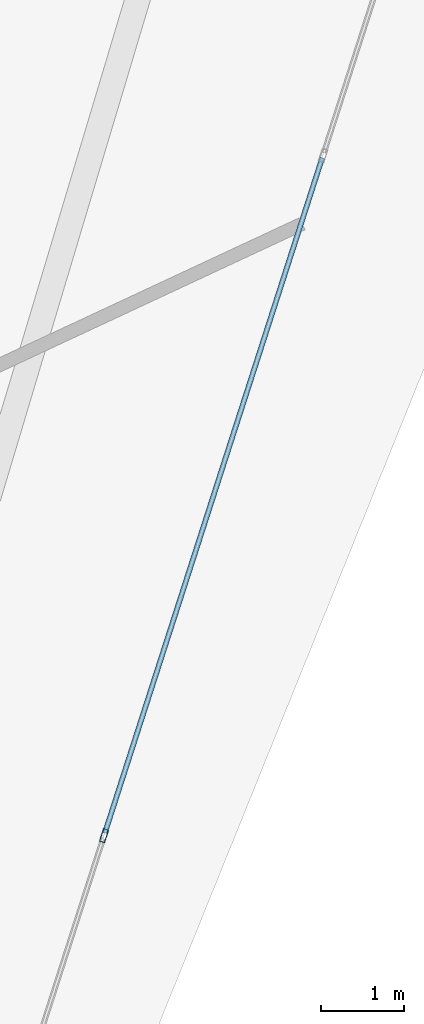
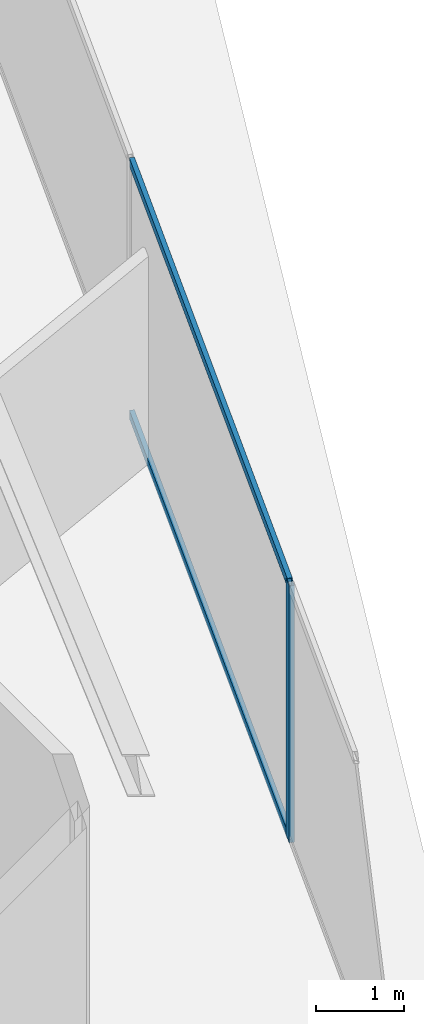
# One storey, part 9 of 14: 3 members, 1 element without a shape of its own.
"""IFC4 building model written with IfcOpenShell, lengths in metres."""

from ifc_helpers import new_model, si_unit, direction, frame, origin, origin_2d, place, context, subcontext, project, spatial, hollow_rectangle, extrude, material, layer, layer_set, material_profile, profile_set, type_object, element, aggregate, save


model = new_model("IFC4")

# Units and contexts
model_context = context("Model", 3, precision=1e-05, world=origin(), true_north=direction((0.0, 1.0)))
body_context = subcontext(model_context, "Body", "Model", "MODEL_VIEW")
ifc_project = project(units=[si_unit("LENGTHUNIT", "METRE"), si_unit("AREAUNIT", "SQUARE_METRE"), si_unit("VOLUMEUNIT", "CUBIC_METRE"), si_unit("PLANEANGLEUNIT", "RADIAN"), si_unit("MASSUNIT", "GRAM", prefix="KILO")], contexts=[model_context])

# Site, building, storey
site_placement = place(None, origin())
site = spatial("IfcSite", under=ifc_project, at=site_placement, CompositionType="ELEMENT")
building_placement = place(site_placement, origin())
building = spatial("IfcBuilding", under=site, at=building_placement, Name="Qianvela Tower", CompositionType="ELEMENT")
storey_placement = place(building_placement, frame((0.0, 0.0, 356.300048828125)))
storey = spatial("IfcBuildingStorey", under=building, at=storey_placement, Name="L92", CompositionType="ELEMENT", Elevation=356.300048828125)

# Curtain wall, members
ifc_material_1 = material(Name="Anodised Architectural Aluminium and Low-E Glass", Category="aluminium")
ifc_layer = layer(ifc_material_1, 0.159912109375)
ifc_layer_set = layer_set([ifc_layer], Name="Anodised Architectural Aluminium and Low-E Glass")
curtain_wall_type = type_object("IfcCurtainWallType", Name="CW-CROWN", PredefinedType="USERDEFINED", material=ifc_layer_set)
curtain_wall_placement = place(storey_placement, origin())
curtain_wall = element("IfcCurtainWall", 1, at=curtain_wall_placement, inside=storey, type_object=curtain_wall_type, Name="L92 CW-CROWN Curtain Wall 06", ObjectType="CURTAIN_WALL_SYSTEM", PredefinedType="USERDEFINED")
ifc_material_2 = material(Name="Anodised Architectural Aluminium 6063-T6", Category="aluminium")
ifc_material_profile_1 = material_profile(ifc_material_2, hollow_rectangle(XDim=0.06494140625, YDim=0.159912109375, WallThickness=0.0048828125, at=origin_2d()), Name="ALU-MULL-65x160")
ifc_profile_set_1 = profile_set([ifc_material_profile_1], Name="Anodised Architectural Aluminium 6063-T6")
member_type_1 = type_object("IfcMemberType", Name="CW-CROWN-MULL", PredefinedType="MULLION", material=ifc_profile_set_1)
member_1_placement = place(storey_placement, frame((47.490234375, 24.3251953125, 0.0), z_axis=(0.0, 0.0, 1.0), x_axis=(-0.951894457902, 0.306426077572, 0.0)))
member_1 = element("IfcMember", 2, at=member_1_placement, type_object=member_type_1, Name="CW-8 mullion 3", PredefinedType="MULLION", context=body_context, shape_type="SweptSolid", body=[
    extrude(hollow_rectangle(XDim=0.06494140625, YDim=0.159912109375, WallThickness=0.0048828125, at=origin_2d()), origin(), (0.0, 0.0, 1.0), 3.550048828125),
])
ifc_material_3 = material(Name="Anodised Architectural Aluminium 6063-T6", Category="aluminium")
ifc_material_profile_2 = material_profile(ifc_material_3, hollow_rectangle(XDim=0.06005859375, YDim=0.114990234375, WallThickness=0.00390625, at=origin_2d()), Name="ALU-TRAN-60x115")
ifc_profile_set_2 = profile_set([ifc_material_profile_2], Name="Anodised Architectural Aluminium 6063-T6")
member_type_2 = type_object("IfcMemberType", Name="CW-CROWN-TRAN", PredefinedType="USERDEFINED", material=ifc_profile_set_2)
member_2_placement = place(storey_placement, frame((47.500244140625, 24.356201171875, 0.030029296875), z_axis=(0.306444438398, 0.951888547139, 0.0), x_axis=(-0.951888547139, 0.306444438398, 0.0)))
member_2 = element("IfcMember", 3, at=member_2_placement, type_object=member_type_2, Name="CW-8 transom 3.1", ObjectType="TRANSOM", PredefinedType="USERDEFINED", context=body_context, shape_type="SweptSolid", body=[
    extrude(hollow_rectangle(XDim=0.06005859375, YDim=0.114990234375, WallThickness=0.00390625, at=origin_2d()), origin(), (0.0, 0.0, 1.0), 8.49658203125),
])
member_3_placement = place(storey_placement, frame((47.500244140625, 24.356201171875, 3.52001953125), z_axis=(0.306444438398, 0.951888547139, 0.0), x_axis=(-0.951888547139, 0.306444438398, 0.0)))
member_3 = element("IfcMember", 4, at=member_3_placement, type_object=member_type_2, Name="CW-8 transom 3.2", ObjectType="TRANSOM", PredefinedType="USERDEFINED", context=body_context, shape_type="SweptSolid", body=[
    extrude(hollow_rectangle(XDim=0.06005859375, YDim=0.114990234375, WallThickness=0.00390625, at=origin_2d()), origin(), (0.0, 0.0, 1.0), 8.49658203125),
])
aggregate(curtain_wall, [member_1, member_2, member_3])

save(model, "model.ifc")
